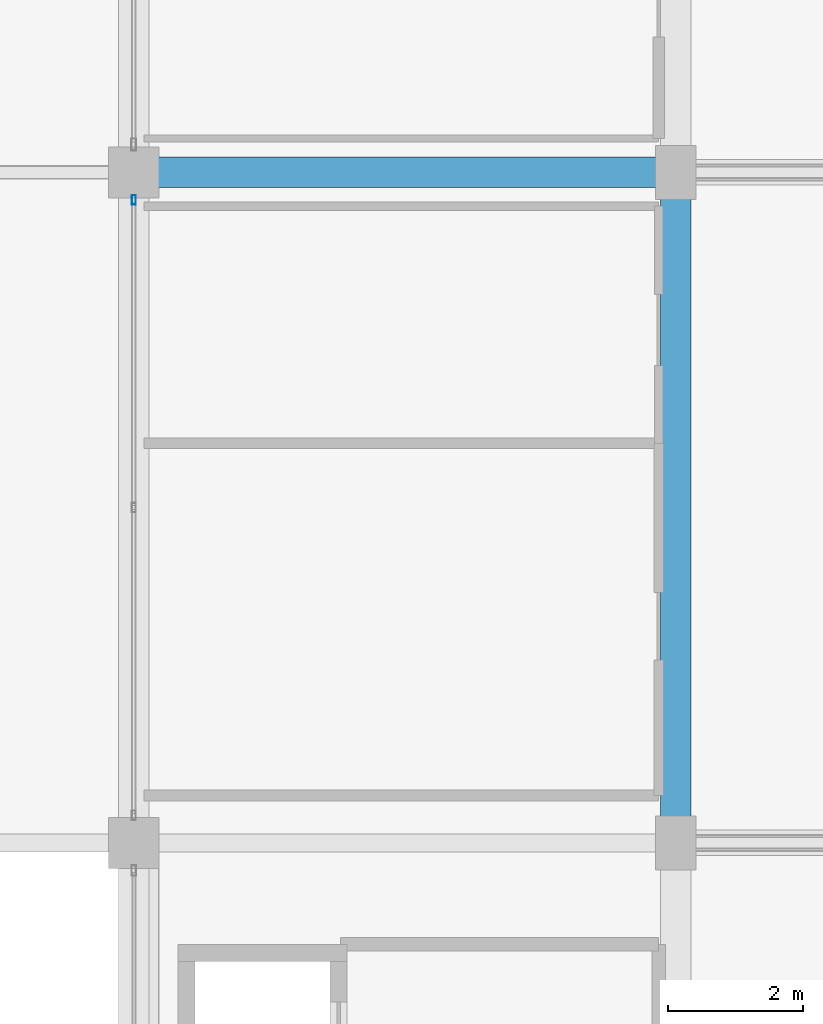
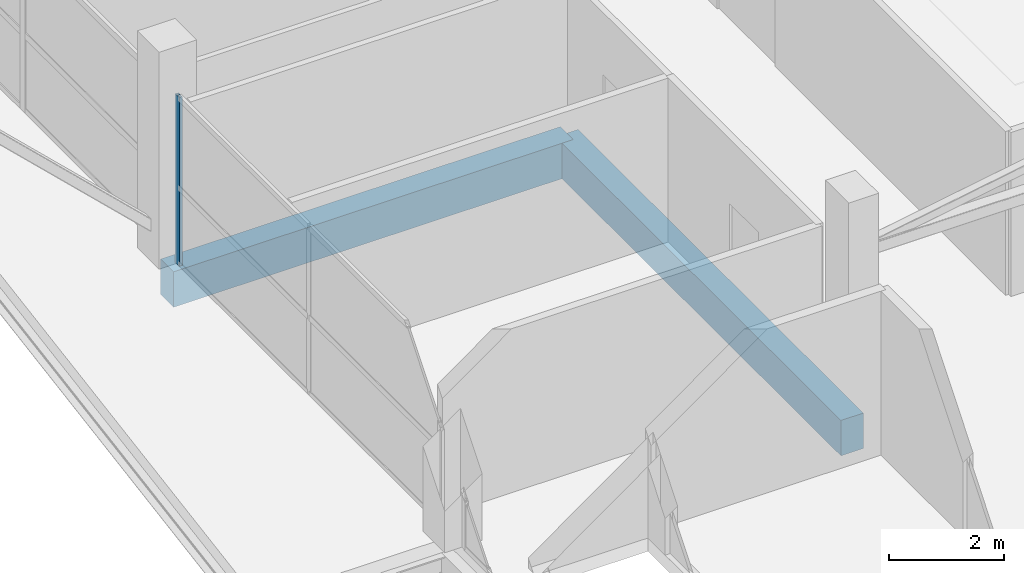
# One storey, part 17 of 58: 2 beams, 1 member, 1 element without a shape of its own.
"""IFC4 building model written with IfcOpenShell, lengths in metres."""

from ifc_helpers import new_model, si_unit, direction, frame, origin, origin_2d, place, context, subcontext, project, spatial, rectangle, hollow_rectangle, extrude, material, layer, layer_set, material_profile, profile_set, type_object, element, aggregate, save


model = new_model("IFC4")

# Units and contexts
model_context = context("Model", 3, precision=1e-05, world=origin(), true_north=direction((0.0, 1.0)))
body_context = subcontext(model_context, "Body", "Model", "MODEL_VIEW")
ifc_project = project(units=[si_unit("LENGTHUNIT", "METRE"), si_unit("AREAUNIT", "SQUARE_METRE"), si_unit("VOLUMEUNIT", "CUBIC_METRE"), si_unit("PLANEANGLEUNIT", "RADIAN"), si_unit("MASSUNIT", "GRAM", prefix="KILO")], contexts=[model_context])

# Site, building, storey
site_placement = place(None, origin())
site = spatial("IfcSite", under=ifc_project, at=site_placement, CompositionType="ELEMENT")
building_placement = place(site_placement, origin())
building = spatial("IfcBuilding", under=site, at=building_placement, Name="Sillaruma Civic Art Gallery", CompositionType="ELEMENT")
storey_placement = place(building_placement, frame((0.0, 0.0, 28.56005859375)))
storey = spatial("IfcBuildingStorey", under=building, at=storey_placement, Name="L05", CompositionType="ELEMENT", Elevation=28.56005859375)

# Beams
ifc_material_1 = material(Name="Concrete H40 (40 MPa)", Category="concrete")
ifc_material_profile_1 = material_profile(ifc_material_1, rectangle(XDim=0.449951171875, YDim=0.75, at=origin_2d()), Name="RCB450x750")
ifc_profile_set_1 = profile_set([ifc_material_profile_1], Name="Concrete H40 (40 MPa)")
beam_type = type_object("IfcBeamType", Name="BM-BEAM-RCB450x750", PredefinedType="BEAM", material=ifc_profile_set_1)
beam_1_placement = place(storey_placement, frame((62.0, 59.39990234375, -0.655029296875), z_axis=(1.0, 0.0, 0.0), x_axis=(0.0, 1.0, 0.0)))
element("IfcBeam", 1, at=beam_1_placement, inside=storey, type_object=beam_type, Name="Beam BM-03 (L04:7:F-G)", PredefinedType="BEAM", context=body_context, shape_type="SweptSolid", body=[
    extrude(rectangle(XDim=0.449951171875, YDim=0.75, at=origin_2d()), origin(), (0.0, 0.0, 1.0), 8.0),
])
beam_2_placement = place(storey_placement, frame((70.0, 49.5, -0.655029296875), z_axis=(0.0, 1.0, 0.0), x_axis=(-1.0, 0.0, 0.0)))
element("IfcBeam", 2, at=beam_2_placement, inside=storey, type_object=beam_type, Name="Beam BM-03 (L04:G:6-7)", PredefinedType="BEAM", context=body_context, shape_type="SweptSolid", body=[
    extrude(rectangle(XDim=0.449951171875, YDim=0.75, at=origin_2d()), origin(), (0.0, 0.0, 1.0), 9.89990234375),
])

# Curtain wall, member
ifc_material_2 = material(Name="Thermally Broken Extruded Aluminium 6063-T6", Category="aluminium")
ifc_layer = layer(ifc_material_2, 0.139892578125, Name="Thermally Broken Extruded Aluminium 6063-T6")
ifc_layer_set = layer_set([ifc_layer], Name="Thermally Broken Extruded Aluminium 6063-T6")
curtain_wall_type = type_object("IfcCurtainWallType", Name="CW-UNI-31", PredefinedType="NOTDEFINED", material=ifc_layer_set)
curtain_wall_placement = place(storey_placement, origin())
curtain_wall = element("IfcCurtainWall", 3, at=curtain_wall_placement, inside=storey, type_object=curtain_wall_type, Name="Unitised Curtain Wall CW-31 (CW-L05-W-4)", PredefinedType="NOTDEFINED")
ifc_material_profile_2 = material_profile(ifc_material_2, hollow_rectangle(XDim=0.06005859375, YDim=0.139892578125, WallThickness=0.00341796875, at=origin_2d()), Name="CWM60x140")
ifc_profile_set_2 = profile_set([ifc_material_profile_2], Name="Thermally Broken Extruded Aluminium 6063-T6")
member_type = type_object("IfcMemberType", Name="MEM-MUL-CWM60x140", PredefinedType="MULLION", material=ifc_profile_set_2)
member_placement = place(storey_placement, frame((62.0, 58.9951171875, 0.0), z_axis=(0.0, 0.0, 1.0), x_axis=(-1.0, 0.0, 0.0)))
member = element("IfcMember", 4, at=member_placement, type_object=member_type, Name="CW-31 mullion 3", PredefinedType="MULLION", context=body_context, shape_type="SweptSolid", body=[
    extrude(hollow_rectangle(XDim=0.06005859375, YDim=0.139892578125, WallThickness=0.00341796875, at=origin_2d()), origin(), (0.0, 0.0, 1.0), 3.56982421875),
])
aggregate(curtain_wall, [member])

save(model, "model.ifc")
